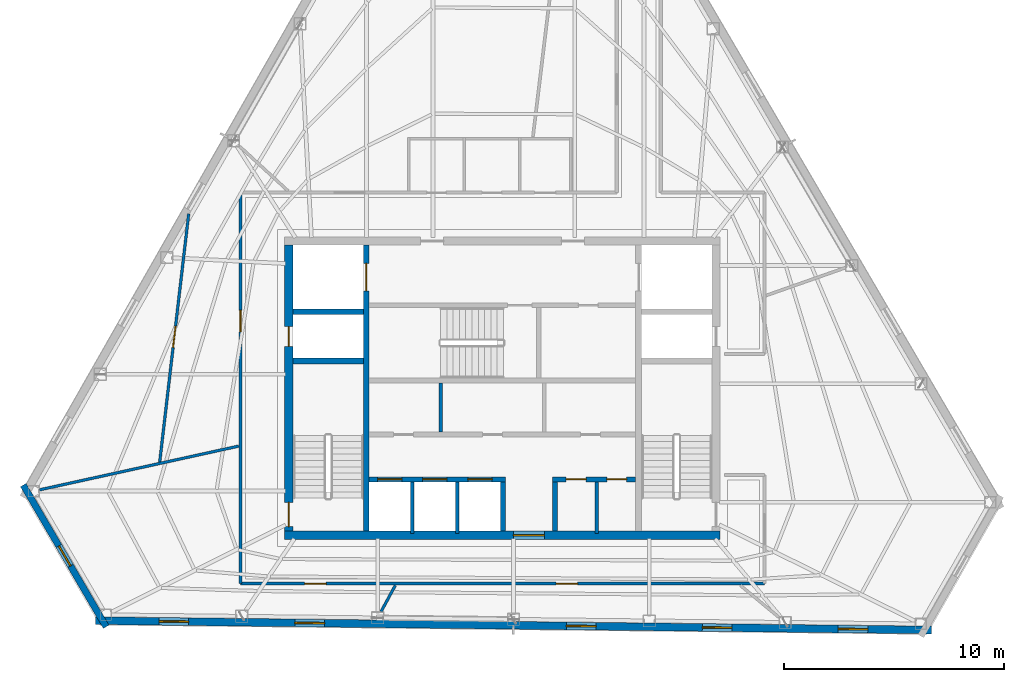
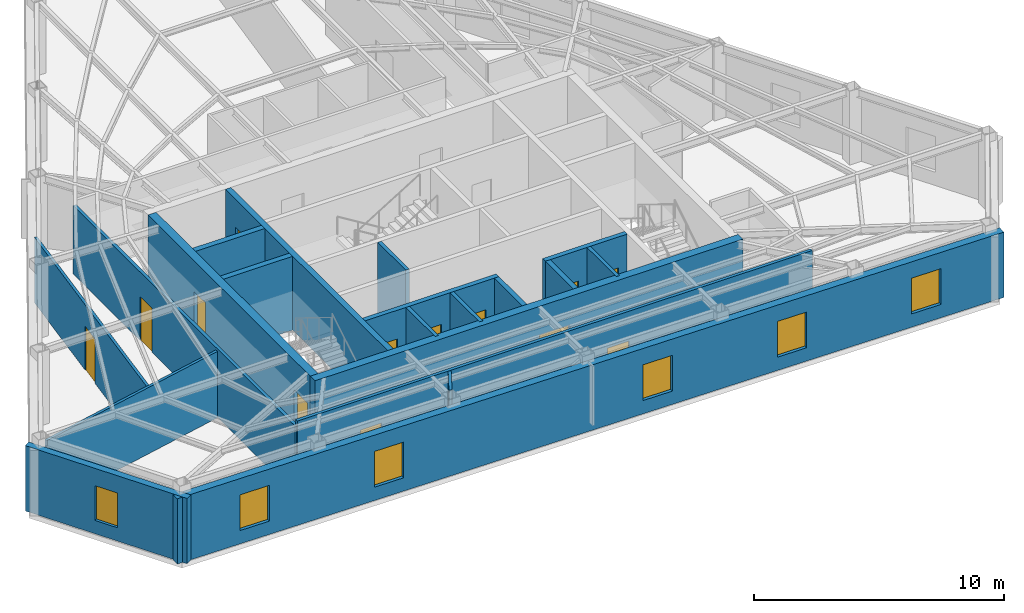
# One storey, part 7 of 10: 20 walls, 13 doors, 6 windows, 19 openings.
"""IFC4 building model written with IfcOpenShell, lengths in metres."""

from ifc_helpers import new_model, si_unit, direction, frame, frame_2d, origin, place, context, subcontext, project, spatial, rectangle, extrude, material, layer, layer_set, type_object, element, fill, save


model = new_model("IFC4")

# Units and contexts
model_context = context("Model", 3, precision=1e-05, world=origin(), true_north=direction((0.0, 1.0)))
body_context = subcontext(model_context, "Body", "Model", "MODEL_VIEW")
ifc_project = project(units=[si_unit("LENGTHUNIT", "METRE"), si_unit("AREAUNIT", "SQUARE_METRE"), si_unit("VOLUMEUNIT", "CUBIC_METRE"), si_unit("PLANEANGLEUNIT", "RADIAN"), si_unit("MASSUNIT", "GRAM", prefix="KILO")], contexts=[model_context])

# Site, building, storey
site_placement = place(None, origin())
site = spatial("IfcSite", under=ifc_project, at=site_placement, CompositionType="ELEMENT")
building_placement = place(site_placement, origin())
building = spatial("IfcBuilding", under=site, at=building_placement, Name="Kavelnor Concourse Tower", CompositionType="ELEMENT")
storey_placement = place(building_placement, frame((0.0, 0.0, 254.89990234375)))
storey = spatial("IfcBuildingStorey", under=building, at=storey_placement, Name="L64", CompositionType="ELEMENT", Elevation=254.89990234375)

# Wall, opening, door
ifc_material_1 = material(Name="Concrete C50/60", Category="concrete")
ifc_layer_1 = layer(ifc_material_1, 0.3798828125, Name="Concrete C50/60")
ifc_layer_set_1 = layer_set([ifc_layer_1], Name="Concrete C50/60")
wall_type_1 = type_object("IfcWallType", Name="WL-CORE-Z4-380", PredefinedType="SOLIDWALL", material=ifc_layer_set_1)
wall_1_placement = place(storey_placement, frame((28.10009765625, 9.409912109375, 0.0), z_axis=(0.0, 0.0, 1.0), x_axis=(1.0, 0.0, 0.0)))
wall_1 = element("IfcWall", 1, at=wall_1_placement, inside=storey, type_object=wall_type_1, Name="L64 Central Core South Shear Wall", PredefinedType="SOLIDWALL", context=body_context, shape_type="SweptSolid", body=[
    extrude(rectangle(XDim=19.7998046875, YDim=0.3798828125, at=frame_2d((9.89990234375, 0.0))), origin(), (0.0, 0.0, 1.0), 3.610107421875),
])
opening_1_placement = place(wall_1_placement, frame((10.39990234375, 0.0, 0.0)))
opening_1 = element("IfcOpeningElement", 2, at=opening_1_placement, cuts=wall_1, Name="Opening SD-140", PredefinedType="OPENING", context=body_context, shape_type="SweptSolid", body=[
    extrude(rectangle(XDim=1.39990234375, YDim=2.199951171875, at=frame_2d((0.699951171875, 1.10009765625))), frame((0.0, 0.199951171875, 0.0), z_axis=(0.0, -1.0, 0.0), x_axis=(1.0, 0.0, 0.0)), (0.0, 0.0, 1.0), 0.39990234375),
])
ifc_material_2 = material(Name="Solid-core hardwood timber", Category="wood")
door_type_1 = type_object("IfcDoorType", Name="DR-SUITE-ENTRY-1400", OperationType="NOTDEFINED", PredefinedType="DOOR", material=ifc_material_2)
door_1_placement = place(opening_1_placement, origin())
door_1 = element("IfcDoor", 3, at=door_1_placement, inside=storey, type_object=door_type_1, Name="L64 Passenger Lift Lobby Entry Door", OperationType="SINGLE_SWING_LEFT", OverallHeight=2.199951171875, OverallWidth=1.39990234375, PredefinedType="DOOR", context=body_context, shape_type="SweptSolid", body=[
    extrude(rectangle(XDim=1.39990234375, YDim=2.199951171875, at=frame_2d((0.699951171875, 1.10009765625))), frame((0.0, 0.02490234375, 0.0), z_axis=(0.0, -1.0, 0.0), x_axis=(1.0, 0.0, 0.0)), (0.0, 0.0, 1.0), 0.050048828125),
])
fill(opening_1, door_1)

# Wall, openings, doors
wall_2_placement = place(storey_placement, frame((28.2900390625, 9.60009765625, 0.0), z_axis=(0.0, 0.0, 1.0), x_axis=(0.0, 1.0, 0.0)))
wall_2 = element("IfcWall", 4, at=wall_2_placement, inside=storey, type_object=wall_type_1, Name="L64 Central Core West Shear Wall", PredefinedType="SOLIDWALL", context=body_context, shape_type="SweptSolid", body=[
    extrude(rectangle(XDim=13.0, YDim=0.3798828125, at=frame_2d((6.5, 0.0))), origin(), (0.0, 0.0, 1.0), 3.610107421875),
])
opening_2_placement = place(wall_2_placement, frame((0.199951171875, 0.0, 0.0)))
opening_2 = element("IfcOpeningElement", 5, at=opening_2_placement, cuts=wall_2, Name="Opening FD-110", PredefinedType="OPENING", context=body_context, shape_type="SweptSolid", body=[
    extrude(rectangle(XDim=1.10009765625, YDim=2.14990234375, at=frame_2d((0.550048828125, 1.074951171875))), frame((0.0, 0.199951171875, 0.0), z_axis=(0.0, -1.0, 0.0), x_axis=(1.0, 0.0, 0.0)), (0.0, 0.0, 1.0), 0.39990234375),
])
opening_3_placement = place(wall_2_placement, frame((8.39990234375, 0.0, 0.0)))
opening_3 = element("IfcOpeningElement", 6, at=opening_3_placement, cuts=wall_2, Name="Opening FD-090", PredefinedType="OPENING", context=body_context, shape_type="SweptSolid", body=[
    extrude(rectangle(XDim=0.89990234375, YDim=2.10009765625, at=frame_2d((0.449951171875, 1.050048828125))), frame((0.0, 0.199951171875, 0.0), z_axis=(0.0, -1.0, 0.0), x_axis=(1.0, 0.0, 0.0)), (0.0, 0.0, 1.0), 0.39990234375),
])
ifc_material_3 = material(Name="Steel Grade 350", Category="steel")
door_type_2 = type_object("IfcDoorType", Name="DR-RISER-FIRE-900", OperationType="NOTDEFINED", PredefinedType="DOOR", material=ifc_material_3)
door_2_placement = place(opening_3_placement, origin())
door_2 = element("IfcDoor", 7, at=door_2_placement, inside=storey, type_object=door_type_2, Name="L64 West Riser Access Door", OperationType="SINGLE_SWING_RIGHT", OverallHeight=2.10009765625, OverallWidth=0.89990234375, PredefinedType="DOOR", context=body_context, shape_type="SweptSolid", body=[
    extrude(rectangle(XDim=0.89990234375, YDim=2.10009765625, at=frame_2d((0.449951171875, 1.050048828125))), frame((0.0, 0.02490234375, 0.0), z_axis=(0.0, -1.0, 0.0), x_axis=(1.0, 0.0, 0.0)), (0.0, 0.0, 1.0), 0.050048828125),
])
fill(opening_3, door_2)
door_type_3 = type_object("IfcDoorType", Name="DR-STAIR-FIRE-1100", OperationType="NOTDEFINED", PredefinedType="DOOR", material=ifc_material_3)
door_3_placement = place(opening_2_placement, origin())
door_3 = element("IfcDoor", 8, at=door_3_placement, inside=storey, type_object=door_type_3, Name="L64 Stair ST1 Fire Door", OperationType="SINGLE_SWING_LEFT", OverallHeight=2.14990234375, OverallWidth=1.10009765625, PredefinedType="DOOR", context=body_context, shape_type="SweptSolid", body=[
    extrude(rectangle(XDim=1.10009765625, YDim=2.14990234375, at=frame_2d((0.550048828125, 1.074951171875))), frame((0.0, 0.02490234375, 0.0), z_axis=(0.0, -1.0, 0.0), x_axis=(1.0, 0.0, 0.0)), (0.0, 0.0, 1.0), 0.050048828125),
])
fill(opening_2, door_3)

# Wall, opening, window
ifc_material_4 = material(Name="Buff ironspot clay face brick masonry", Category="masonry")
ifc_layer_2 = layer(ifc_material_4, 0.300048828125, Name="Buff ironspot clay face brick masonry")
ifc_layer_set_2 = layer_set([ifc_layer_2], Name="Buff ironspot clay face brick masonry")
wall_type_2 = type_object("IfcWallType", Name="WL-EXT-BUFF-BRICK-FOLD-300", PredefinedType="STANDARD", material=ifc_layer_set_2)
wall_3_placement = place(storey_placement, frame((19.97900390625, 5.248291015625, 0.0), z_axis=(0.0, 0.0, 1.0), x_axis=(-0.50480008765, 0.863236277915, 0.0)))
wall_3 = element("IfcWall", 9, at=wall_3_placement, inside=storey, type_object=wall_type_2, Name="L64 Exterior Brick Facade Wall E2", PredefinedType="STANDARD", context=body_context, shape_type="SweptSolid", body=[
    extrude(rectangle(XDim=7.46435546875, YDim=0.300048828125, at=frame_2d((3.732177734375, 0.0))), origin(), (0.0, 0.0, 1.0), 3.196044921875),
])
opening_4_placement = place(wall_3_placement, frame((3.20703125, 0.0, 0.64990234375)))
opening_4 = element("IfcOpeningElement", 10, at=opening_4_placement, cuts=wall_3, Name="Opening W-06", PredefinedType="OPENING", context=body_context, shape_type="SweptSolid", body=[
    extrude(rectangle(XDim=1.050048828125, YDim=1.699951171875, at=frame_2d((0.52490234375, 0.85009765625))), frame((0.0, 0.16015625, 0.0), z_axis=(0.0, -1.0, 0.0), x_axis=(1.0, 0.0, 0.0)), (0.0, 0.0, 1.0), 0.320068359375),
])
ifc_material_5 = material(Name="Double low-E argon insulated glazing", Category="glass")
window_type_1 = type_object("IfcWindowType", Name="WIN-FOLD-1050", PartitioningType="SINGLE_PANEL", PredefinedType="WINDOW", material=ifc_material_5)
window_1_placement = place(opening_4_placement, origin())
window_1 = element("IfcWindow", 11, at=window_1_placement, inside=storey, type_object=window_type_1, Name="L64 Chamfer-Fold Facet Window C1", OverallHeight=1.699951171875, OverallWidth=1.050048828125, PartitioningType="SINGLE_PANEL", PredefinedType="WINDOW", context=body_context, shape_type="SweptSolid", body=[
    extrude(rectangle(XDim=1.050048828125, YDim=1.699951171875, at=frame_2d((0.52490234375, 0.85009765625))), frame((0.0, 0.030029296875, 0.0), z_axis=(0.0, -1.0, 0.0), x_axis=(1.0, 0.0, 0.0)), (0.0, 0.0, 1.0), 0.06005859375),
])
fill(opening_4, window_1)

# Wall, openings, windows
ifc_material_6 = material(Name="Red-ochre clay face brick masonry", Category="masonry")
ifc_layer_3 = layer(ifc_material_6, 0.35009765625, Name="Red-ochre clay face brick masonry")
ifc_layer_set_3 = layer_set([ifc_layer_3], Name="Red-ochre clay face brick masonry")
wall_type_3 = type_object("IfcWallType", Name="WL-EXT-RED-BRICK-PIER-350", PredefinedType="STANDARD", material=ifc_layer_set_3)
wall_4_placement = place(storey_placement, frame((57.506103515625, 5.1015625, 0.0), z_axis=(0.0, 0.0, 1.0), x_axis=(-0.999937327785, 0.011195557226, 0.0)))
wall_4 = element("IfcWall", 12, at=wall_4_placement, inside=storey, type_object=wall_type_3, Name="L64 Exterior Brick Facade Wall E3", PredefinedType="STANDARD", context=body_context, shape_type="SweptSolid", body=[
    extrude(rectangle(XDim=38.009521484375, YDim=0.35009765625, at=frame_2d((19.0048828125, 0.0))), origin(), (0.0, 0.0, 1.0), 3.196044921875),
])
opening_5_placement = place(wall_4_placement, frame((33.774658203125, 0.0, 0.64990234375)))
opening_5 = element("IfcOpeningElement", 13, at=opening_5_placement, cuts=wall_4, Name="Opening W-04", PredefinedType="OPENING", context=body_context, shape_type="SweptSolid", body=[
    extrude(rectangle(XDim=1.35009765625, YDim=1.75, at=frame_2d((0.675048828125, 0.875))), frame((0.0, 0.18505859375, 0.0), z_axis=(0.0, -1.0, 0.0), x_axis=(1.0, 0.0, 0.0)), (0.0, 0.0, 1.0), 0.3701171875),
])
opening_6_placement = place(wall_4_placement, frame((27.598876953125, 0.0, 0.64990234375)))
opening_6 = element("IfcOpeningElement", 14, at=opening_6_placement, cuts=wall_4, Name="Opening W-04", PredefinedType="OPENING", context=body_context, shape_type="SweptSolid", body=[
    extrude(rectangle(XDim=1.35009765625, YDim=1.75, at=frame_2d((0.675048828125, 0.875))), frame((0.0, 0.18505859375, 0.0), z_axis=(0.0, -1.0, 0.0), x_axis=(1.0, 0.0, 0.0)), (0.0, 0.0, 1.0), 0.3701171875),
])
opening_7_placement = place(wall_4_placement, frame((15.247314453125, 0.0, 0.64990234375)))
opening_7 = element("IfcOpeningElement", 15, at=opening_7_placement, cuts=wall_4, Name="Opening W-04", PredefinedType="OPENING", context=body_context, shape_type="SweptSolid", body=[
    extrude(rectangle(XDim=1.35009765625, YDim=1.75, at=frame_2d((0.675048828125, 0.875))), frame((0.0, 0.18505859375, 0.0), z_axis=(0.0, -1.0, 0.0), x_axis=(1.0, 0.0, 0.0)), (0.0, 0.0, 1.0), 0.3701171875),
])
opening_8_placement = place(wall_4_placement, frame((9.0712890625, 0.0, 0.64990234375)))
opening_8 = element("IfcOpeningElement", 16, at=opening_8_placement, cuts=wall_4, Name="Opening W-04", PredefinedType="OPENING", context=body_context, shape_type="SweptSolid", body=[
    extrude(rectangle(XDim=1.35009765625, YDim=1.75, at=frame_2d((0.675048828125, 0.875))), frame((0.0, 0.18505859375, 0.0), z_axis=(0.0, -1.0, 0.0), x_axis=(1.0, 0.0, 0.0)), (0.0, 0.0, 1.0), 0.3701171875),
])
opening_9_placement = place(wall_4_placement, frame((2.8955078125, 0.0, 0.64990234375)))
opening_9 = element("IfcOpeningElement", 17, at=opening_9_placement, cuts=wall_4, Name="Opening W-04", PredefinedType="OPENING", context=body_context, shape_type="SweptSolid", body=[
    extrude(rectangle(XDim=1.35009765625, YDim=1.75, at=frame_2d((0.675048828125, 0.875))), frame((0.0, 0.18505859375, 0.0), z_axis=(0.0, -1.0, 0.0), x_axis=(1.0, 0.0, 0.0)), (0.0, 0.0, 1.0), 0.3701171875),
])
window_type_2 = type_object("IfcWindowType", Name="WIN-PIER-Z4-1350", PartitioningType="SINGLE_PANEL", PredefinedType="WINDOW", material=ifc_material_5)
window_2_placement = place(opening_5_placement, origin())
window_2 = element("IfcWindow", 18, at=window_2_placement, inside=storey, type_object=window_type_2, Name="L64 Deep-Set Brick Pier Window F1-B0", OverallHeight=1.75, OverallWidth=1.35009765625, PartitioningType="SINGLE_PANEL", PredefinedType="WINDOW", context=body_context, shape_type="SweptSolid", body=[
    extrude(rectangle(XDim=1.35009765625, YDim=1.75, at=frame_2d((0.675048828125, 0.875))), frame((0.0, 0.030029296875, 0.0), z_axis=(0.0, -1.0, 0.0), x_axis=(1.0, 0.0, 0.0)), (0.0, 0.0, 1.0), 0.06005859375),
])
fill(opening_5, window_2)
window_3_placement = place(opening_6_placement, origin())
window_3 = element("IfcWindow", 19, at=window_3_placement, inside=storey, type_object=window_type_2, Name="L64 Deep-Set Brick Pier Window F1-B1", OverallHeight=1.75, OverallWidth=1.35009765625, PartitioningType="SINGLE_PANEL", PredefinedType="WINDOW", context=body_context, shape_type="SweptSolid", body=[
    extrude(rectangle(XDim=1.35009765625, YDim=1.75, at=frame_2d((0.675048828125, 0.875))), frame((0.0, 0.030029296875, 0.0), z_axis=(0.0, -1.0, 0.0), x_axis=(1.0, 0.0, 0.0)), (0.0, 0.0, 1.0), 0.06005859375),
])
fill(opening_6, window_3)
window_4_placement = place(opening_7_placement, origin())
window_4 = element("IfcWindow", 20, at=window_4_placement, inside=storey, type_object=window_type_2, Name="L64 Deep-Set Brick Pier Window F1-B3", OverallHeight=1.75, OverallWidth=1.35009765625, PartitioningType="SINGLE_PANEL", PredefinedType="WINDOW", context=body_context, shape_type="SweptSolid", body=[
    extrude(rectangle(XDim=1.35009765625, YDim=1.75, at=frame_2d((0.675048828125, 0.875))), frame((0.0, 0.030029296875, 0.0), z_axis=(0.0, -1.0, 0.0), x_axis=(1.0, 0.0, 0.0)), (0.0, 0.0, 1.0), 0.06005859375),
])
fill(opening_7, window_4)
window_5_placement = place(opening_8_placement, origin())
window_5 = element("IfcWindow", 21, at=window_5_placement, inside=storey, type_object=window_type_2, Name="L64 Deep-Set Brick Pier Window F1-B4", OverallHeight=1.75, OverallWidth=1.35009765625, PartitioningType="SINGLE_PANEL", PredefinedType="WINDOW", context=body_context, shape_type="SweptSolid", body=[
    extrude(rectangle(XDim=1.35009765625, YDim=1.75, at=frame_2d((0.675048828125, 0.875))), frame((0.0, 0.030029296875, 0.0), z_axis=(0.0, -1.0, 0.0), x_axis=(1.0, 0.0, 0.0)), (0.0, 0.0, 1.0), 0.06005859375),
])
fill(opening_8, window_5)
window_6_placement = place(opening_9_placement, origin())
window_6 = element("IfcWindow", 22, at=window_6_placement, inside=storey, type_object=window_type_2, Name="L64 Deep-Set Brick Pier Window F1-B5", OverallHeight=1.75, OverallWidth=1.35009765625, PartitioningType="SINGLE_PANEL", PredefinedType="WINDOW", context=body_context, shape_type="SweptSolid", body=[
    extrude(rectangle(XDim=1.35009765625, YDim=1.75, at=frame_2d((0.675048828125, 0.875))), frame((0.0, 0.030029296875, 0.0), z_axis=(0.0, -1.0, 0.0), x_axis=(1.0, 0.0, 0.0)), (0.0, 0.0, 1.0), 0.06005859375),
])
fill(opening_9, window_6)

# Wall, openings, doors
ifc_material_7 = material(Name="Gypsum plasterboard on light-gauge steel studs", Category="steel")
ifc_layer_4 = layer(ifc_material_7, 0.14501953125, Name="Gypsum plasterboard on light-gauge steel studs")
ifc_layer_set_4 = layer_set([ifc_layer_4], Name="Gypsum plasterboard on light-gauge steel studs")
wall_type_4 = type_object("IfcWallType", Name="WL-INT-CORR-145", PredefinedType="PARTITIONING", material=ifc_layer_set_4)
wall_5_placement = place(storey_placement, frame((49.909912109375, 7.2099609375, 0.0), z_axis=(0.0, 0.0, 1.0), x_axis=(-1.0, 0.0, 0.0)))
wall_5 = element("IfcWall", 23, at=wall_5_placement, inside=storey, type_object=wall_type_4, Name="L64 Corridor Wall WL-L64-CR-09", PredefinedType="PARTITIONING", context=body_context, shape_type="SweptSolid", body=[
    extrude(rectangle(XDim=23.81982421875, YDim=0.14501953125, at=frame_2d((11.909912109375, 0.0))), origin(), (0.0, 0.0, 1.0), 3.610107421875),
])
opening_10_placement = place(wall_5_placement, frame((19.927734375, 0.0, 0.0)))
opening_10 = element("IfcOpeningElement", 24, at=opening_10_placement, cuts=wall_5, Name="Opening OD-098", PredefinedType="OPENING", context=body_context, shape_type="SweptSolid", body=[
    extrude(rectangle(XDim=0.97998046875, YDim=2.14990234375, at=frame_2d((0.489990234375, 1.074951171875))), frame((0.0, 0.08251953125, 0.0), z_axis=(0.0, -1.0, 0.0), x_axis=(1.0, 0.0, 0.0)), (0.0, 0.0, 1.0), 0.1650390625),
])
opening_11_placement = place(wall_5_placement, frame((8.487060546875, 0.0, 0.0)))
opening_11 = element("IfcOpeningElement", 25, at=opening_11_placement, cuts=wall_5, Name="Opening OD-098", PredefinedType="OPENING", context=body_context, shape_type="SweptSolid", body=[
    extrude(rectangle(XDim=0.97998046875, YDim=2.14990234375, at=frame_2d((0.489990234375, 1.074951171875))), frame((0.0, 0.08251953125, 0.0), z_axis=(0.0, -1.0, 0.0), x_axis=(1.0, 0.0, 0.0)), (0.0, 0.0, 1.0), 0.1650390625),
])
door_type_4 = type_object("IfcDoorType", Name="DR-OFFICE-980", OperationType="NOTDEFINED", PredefinedType="DOOR", material=ifc_material_2)
door_4_placement = place(opening_10_placement, origin())
door_4 = element("IfcDoor", 26, at=door_4_placement, inside=storey, type_object=door_type_4, Name="L64 Staff Breakout Pantry 05 Door", OperationType="SINGLE_SWING_RIGHT", OverallHeight=2.14990234375, OverallWidth=0.97998046875, PredefinedType="DOOR", context=body_context, shape_type="SweptSolid", body=[
    extrude(rectangle(XDim=0.97998046875, YDim=2.14990234375, at=frame_2d((0.489990234375, 1.074951171875))), frame((0.0, 0.02490234375, 0.0), z_axis=(0.0, -1.0, 0.0), x_axis=(1.0, 0.0, 0.0)), (0.0, 0.0, 1.0), 0.050048828125),
])
fill(opening_10, door_4)
door_5_placement = place(opening_11_placement, origin())
door_5 = element("IfcDoor", 27, at=door_5_placement, inside=storey, type_object=door_type_4, Name="L64 Staff Breakout Pantry 06 Door", OperationType="SINGLE_SWING_LEFT", OverallHeight=2.14990234375, OverallWidth=0.97998046875, PredefinedType="DOOR", context=body_context, shape_type="SweptSolid", body=[
    extrude(rectangle(XDim=0.97998046875, YDim=2.14990234375, at=frame_2d((0.489990234375, 1.074951171875))), frame((0.0, 0.02490234375, 0.0), z_axis=(0.0, -1.0, 0.0), x_axis=(1.0, 0.0, 0.0)), (0.0, 0.0, 1.0), 0.050048828125),
])
fill(opening_11, door_5)

# Wall, opening, door
wall_6_placement = place(storey_placement, frame((26.090087890625, 7.2099609375, 0.0), z_axis=(0.0, 0.0, 1.0), x_axis=(0.0, 1.0, 0.0)))
wall_6 = element("IfcWall", 28, at=wall_6_placement, inside=storey, type_object=wall_type_4, Name="L64 Corridor Wall WL-L64-CR-10", PredefinedType="PARTITIONING", context=body_context, shape_type="SweptSolid", body=[
    extrude(rectangle(XDim=17.780029296875, YDim=0.14501953125, at=frame_2d((8.89013671875, 0.0))), origin(), (0.0, 0.0, 1.0), 3.34912109375),
])
opening_12_placement = place(wall_6_placement, frame((11.442626953125, 0.0, 0.0)))
opening_12 = element("IfcOpeningElement", 29, at=opening_12_placement, cuts=wall_6, Name="Opening OD-098", PredefinedType="OPENING", context=body_context, shape_type="SweptSolid", body=[
    extrude(rectangle(XDim=0.97998046875, YDim=2.14990234375, at=frame_2d((0.489990234375, 1.074951171875))), frame((0.0, 0.08251953125, 0.0), z_axis=(0.0, -1.0, 0.0), x_axis=(1.0, 0.0, 0.0)), (0.0, 0.0, 1.0), 0.1650390625),
])
door_6_placement = place(opening_12_placement, origin())
door_6 = element("IfcDoor", 30, at=door_6_placement, inside=storey, type_object=door_type_4, Name="L64 Technical Reference Library 03 Door", OperationType="SINGLE_SWING_RIGHT", OverallHeight=2.14990234375, OverallWidth=0.97998046875, PredefinedType="DOOR", context=body_context, shape_type="SweptSolid", body=[
    extrude(rectangle(XDim=0.97998046875, YDim=2.14990234375, at=frame_2d((0.489990234375, 1.074951171875))), frame((0.0, 0.02490234375, 0.0), z_axis=(0.0, -1.0, 0.0), x_axis=(1.0, 0.0, 0.0)), (0.0, 0.0, 1.0), 0.050048828125),
])
fill(opening_12, door_6)

# Walls
ifc_layer_5 = layer(ifc_material_7, 0.1650390625, Name="Gypsum plasterboard on light-gauge steel studs")
ifc_layer_set_5 = layer_set([ifc_layer_5], Name="Gypsum plasterboard on light-gauge steel studs")
wall_type_5 = type_object("IfcWallType", Name="WL-INT-FIRE-165", PredefinedType="PARTITIONING", material=ifc_layer_set_5)
for number, where, z_axis, x_axis, name in (
    (31, (33.89990234375, 9.489990234375, 0.0), (0.0, 0.0, 1.0), (0.0, 1.0, 0.0), "L64 Lift Shaft Divider LP7"),
    (32, (35.949951171875, 9.489990234375, 0.0), (0.0, 0.0, 1.0), (0.0, 1.0, 0.0), "L64 Lift Shaft Divider LP8"),
):
    element("IfcWall", number, at=place(storey_placement, frame(where, z_axis=z_axis, x_axis=x_axis)), inside=storey, type_object=wall_type_5, Name=name, PredefinedType="PARTITIONING", context=body_context, shape_type="SweptSolid", body=[
        extrude(rectangle(XDim=2.35009765625, YDim=0.1650390625, at=frame_2d((1.175048828125, 0.0))), origin(), (0.0, 0.0, 1.0), 3.610107421875),
    ])
wall_7_placement = place(storey_placement, frame((35.199951171875, 14.10009765625, 0.0), z_axis=(0.0, 0.0, 1.0), x_axis=(0.0, 1.0, 0.0)))
element("IfcWall", 33, at=wall_7_placement, inside=storey, type_object=wall_type_5, Name="L64 Reclaimed Core Partition A", PredefinedType="PARTITIONING", context=body_context, shape_type="SweptSolid", body=[
    extrude(rectangle(XDim=2.239990234375, YDim=0.1650390625, at=frame_2d((1.1201171875, 0.0))), origin(), (0.0, 0.0, 1.0), 3.610107421875),
])
wall_8_placement = place(storey_placement, frame((42.280029296875, 9.489990234375, 0.0), z_axis=(0.0, 0.0, 1.0), x_axis=(0.0, 1.0, 0.0)))
element("IfcWall", 34, at=wall_8_placement, inside=storey, type_object=wall_type_5, Name="L64 Core Support Divider", PredefinedType="PARTITIONING", context=body_context, shape_type="SweptSolid", body=[
    extrude(rectangle(XDim=2.35009765625, YDim=0.1650390625, at=frame_2d((1.175048828125, 0.0))), origin(), (0.0, 0.0, 1.0), 3.610107421875),
])
ifc_layer_6 = layer(ifc_material_7, 0.125, Name="Gypsum plasterboard on light-gauge steel studs")
ifc_layer_set_6 = layer_set([ifc_layer_6], Name="Gypsum plasterboard on light-gauge steel studs")
wall_type_6 = type_object("IfcWallType", Name="WL-INT-SUITE-125", PredefinedType="PARTITIONING", material=ifc_layer_set_6)
wall_9_placement = place(storey_placement, frame((26.009521484375, 13.465087890625, 0.0), z_axis=(0.0, 0.0, 1.0), x_axis=(-0.976700346334, -0.214607626778, 0.0)))
element("IfcWall", 35, at=wall_9_placement, inside=storey, type_object=wall_type_6, Name="L64 Radial Suite Partition 04", PredefinedType="PARTITIONING", context=body_context, shape_type="SweptSolid", body=[
    extrude(rectangle(XDim=9.272705078125, YDim=0.125, at=frame_2d((4.63623046875, 0.0))), origin(), (0.0, 0.0, 1.0), 3.24609375),
])
wall_10_placement = place(storey_placement, frame((33.126708984375, 7.12939453125, 0.0), z_axis=(0.0, 0.0, 1.0), x_axis=(-0.47743452788, -0.878667327029, 0.0)))
element("IfcWall", 36, at=wall_10_placement, inside=storey, type_object=wall_type_6, Name="L64 Radial Suite Partition 05", PredefinedType="PARTITIONING", context=body_context, shape_type="SweptSolid", body=[
    extrude(rectangle(XDim=1.35205078125, YDim=0.125, at=frame_2d((0.676025390625, 0.0))), origin(), (0.0, 0.0, 1.0), 3.610107421875),
])

# Wall, opening, door
wall_11_placement = place(storey_placement, frame((23.73291015625, 24.027099609375, 0.0), z_axis=(0.0, 0.0, 1.0), x_axis=(-0.116028401935, -0.993245896012, 0.0)))
wall_11 = element("IfcWall", 37, at=wall_11_placement, inside=storey, type_object=wall_type_6, Name="L64 Suite Subdivision Partition 03", PredefinedType="PARTITIONING", context=body_context, shape_type="SweptSolid", body=[
    extrude(rectangle(XDim=11.4150390625, YDim=0.125, at=frame_2d((5.70751953125, 0.0))), origin(), (0.0, 0.0, 1.0), 3.19921875),
])
opening_13_placement = place(wall_11_placement, frame((5.1416015625, 0.0, 0.0)))
opening_13 = element("IfcOpeningElement", 38, at=opening_13_placement, cuts=wall_11, Name="Opening OD-098", PredefinedType="OPENING", context=body_context, shape_type="SweptSolid", body=[
    extrude(rectangle(XDim=0.97998046875, YDim=2.14990234375, at=frame_2d((0.489990234375, 1.074951171875))), frame((0.0, 0.072509765625, 0.0), z_axis=(0.0, -1.0, 0.0), x_axis=(1.0, 0.0, 0.0)), (0.0, 0.0, 1.0), 0.14501953125),
])
door_7_placement = place(opening_13_placement, origin())
door_7 = element("IfcDoor", 39, at=door_7_placement, inside=storey, type_object=door_type_4, Name="L64 Staff Breakout Pantry 04 Door", OperationType="SINGLE_SWING_LEFT", OverallHeight=2.14990234375, OverallWidth=0.97998046875, PredefinedType="DOOR", context=body_context, shape_type="SweptSolid", body=[
    extrude(rectangle(XDim=0.97998046875, YDim=2.14990234375, at=frame_2d((0.489990234375, 1.074951171875))), frame((0.0, 0.02490234375, 0.0), z_axis=(0.0, -1.0, 0.0), x_axis=(1.0, 0.0, 0.0)), (0.0, 0.0, 1.0), 0.050048828125),
])
fill(opening_13, door_7)

# Wall, openings, doors
ifc_layer_7 = layer(ifc_material_1, 0.219970703125, Name="Concrete C50/60")
ifc_layer_set_7 = layer_set([ifc_layer_7], Name="Concrete C50/60")
wall_type_7 = type_object("IfcWallType", Name="WL-SHAFT-220", PredefinedType="SOLIDWALL", material=ifc_layer_set_7)
wall_12_placement = place(storey_placement, frame((31.93994140625, 11.949951171875, 0.0), z_axis=(0.0, 0.0, 1.0), x_axis=(1.0, 0.0, 0.0)))
wall_12 = element("IfcWall", 40, at=wall_12_placement, inside=storey, type_object=wall_type_7, Name="L64 High-Rise Lift Bank North Wall", PredefinedType="SOLIDWALL", context=body_context, shape_type="SweptSolid", body=[
    extrude(rectangle(XDim=6.18994140625, YDim=0.219970703125, at=frame_2d((3.094970703125, 0.0))), origin(), (0.0, 0.0, 1.0), 3.610107421875),
])
opening_14_placement = place(wall_12_placement, frame((0.385009765625, 0.0, 0.0)))
opening_14 = element("IfcOpeningElement", 41, at=opening_14_placement, cuts=wall_12, Name="Opening LD-110", PredefinedType="OPENING", context=body_context, shape_type="SweptSolid", body=[
    extrude(rectangle(XDim=1.10009765625, YDim=2.199951171875, at=frame_2d((0.550048828125, 1.10009765625))), frame((0.0, 0.1201171875, 0.0), z_axis=(0.0, -1.0, 0.0), x_axis=(1.0, 0.0, 0.0)), (0.0, 0.0, 1.0), 0.239990234375),
])
opening_15_placement = place(wall_12_placement, frame((2.43505859375, 0.0, 0.0)))
opening_15 = element("IfcOpeningElement", 42, at=opening_15_placement, cuts=wall_12, Name="Opening LD-110", PredefinedType="OPENING", context=body_context, shape_type="SweptSolid", body=[
    extrude(rectangle(XDim=1.10009765625, YDim=2.199951171875, at=frame_2d((0.550048828125, 1.10009765625))), frame((0.0, 0.1201171875, 0.0), z_axis=(0.0, -1.0, 0.0), x_axis=(1.0, 0.0, 0.0)), (0.0, 0.0, 1.0), 0.239990234375),
])
opening_16_placement = place(wall_12_placement, frame((4.485107421875, 0.0, 0.0)))
opening_16 = element("IfcOpeningElement", 43, at=opening_16_placement, cuts=wall_12, Name="Opening LD-110", PredefinedType="OPENING", context=body_context, shape_type="SweptSolid", body=[
    extrude(rectangle(XDim=1.10009765625, YDim=2.199951171875, at=frame_2d((0.550048828125, 1.10009765625))), frame((0.0, 0.1201171875, 0.0), z_axis=(0.0, -1.0, 0.0), x_axis=(1.0, 0.0, 0.0)), (0.0, 0.0, 1.0), 0.239990234375),
])
door_type_5 = type_object("IfcDoorType", Name="DR-LIFT-SLIDING-1100", OperationType="NOTDEFINED", PredefinedType="DOOR", material=ifc_material_3)
door_8_placement = place(opening_14_placement, origin())
door_8 = element("IfcDoor", 44, at=door_8_placement, inside=storey, type_object=door_type_5, Name="L64 Lift LP7 Landing Door", OperationType="DOUBLE_DOOR_SLIDING", OverallHeight=2.199951171875, OverallWidth=1.10009765625, PredefinedType="DOOR", context=body_context, shape_type="SweptSolid", body=[
    extrude(rectangle(XDim=1.10009765625, YDim=2.199951171875, at=frame_2d((0.550048828125, 1.10009765625))), frame((0.0, 0.02490234375, 0.0), z_axis=(0.0, -1.0, 0.0), x_axis=(1.0, 0.0, 0.0)), (0.0, 0.0, 1.0), 0.050048828125),
])
fill(opening_14, door_8)
door_9_placement = place(opening_15_placement, origin())
door_9 = element("IfcDoor", 45, at=door_9_placement, inside=storey, type_object=door_type_5, Name="L64 Lift LP8 Landing Door", OperationType="DOUBLE_DOOR_SLIDING", OverallHeight=2.199951171875, OverallWidth=1.10009765625, PredefinedType="DOOR", context=body_context, shape_type="SweptSolid", body=[
    extrude(rectangle(XDim=1.10009765625, YDim=2.199951171875, at=frame_2d((0.550048828125, 1.10009765625))), frame((0.0, 0.02490234375, 0.0), z_axis=(0.0, -1.0, 0.0), x_axis=(1.0, 0.0, 0.0)), (0.0, 0.0, 1.0), 0.050048828125),
])
fill(opening_15, door_9)
door_10_placement = place(opening_16_placement, origin())
door_10 = element("IfcDoor", 46, at=door_10_placement, inside=storey, type_object=door_type_5, Name="L64 Lift LP9 Landing Door", OperationType="DOUBLE_DOOR_SLIDING", OverallHeight=2.199951171875, OverallWidth=1.10009765625, PredefinedType="DOOR", context=body_context, shape_type="SweptSolid", body=[
    extrude(rectangle(XDim=1.10009765625, YDim=2.199951171875, at=frame_2d((0.550048828125, 1.10009765625))), frame((0.0, 0.02490234375, 0.0), z_axis=(0.0, -1.0, 0.0), x_axis=(1.0, 0.0, 0.0)), (0.0, 0.0, 1.0), 0.050048828125),
])
fill(opening_16, door_10)

wall_13_placement = place(storey_placement, frame((40.280029296875, 11.949951171875, 0.0), z_axis=(0.0, 0.0, 1.0), x_axis=(1.0, 0.0, 0.0)))
wall_13 = element("IfcWall", 47, at=wall_13_placement, inside=storey, type_object=wall_type_7, Name="L64 Core South Support North Wall", PredefinedType="SOLIDWALL", context=body_context, shape_type="SweptSolid", body=[
    extrude(rectangle(XDim=3.780029296875, YDim=0.219970703125, at=frame_2d((1.89013671875, 0.0))), origin(), (0.0, 0.0, 1.0), 3.610107421875),
])
opening_17_placement = place(wall_13_placement, frame((0.6201171875, 0.0, 0.0)))
opening_17 = element("IfcOpeningElement", 48, at=opening_17_placement, cuts=wall_13, Name="Opening FD-090", PredefinedType="OPENING", context=body_context, shape_type="SweptSolid", body=[
    extrude(rectangle(XDim=0.89990234375, YDim=2.10009765625, at=frame_2d((0.449951171875, 1.050048828125))), frame((0.0, 0.1201171875, 0.0), z_axis=(0.0, -1.0, 0.0), x_axis=(1.0, 0.0, 0.0)), (0.0, 0.0, 1.0), 0.239990234375),
])
opening_18_placement = place(wall_13_placement, frame((2.469970703125, 0.0, 0.0)))
opening_18 = element("IfcOpeningElement", 49, at=opening_18_placement, cuts=wall_13, Name="Opening FD-090", PredefinedType="OPENING", context=body_context, shape_type="SweptSolid", body=[
    extrude(rectangle(XDim=0.89990234375, YDim=2.10009765625, at=frame_2d((0.449951171875, 1.050048828125))), frame((0.0, 0.1201171875, 0.0), z_axis=(0.0, -1.0, 0.0), x_axis=(1.0, 0.0, 0.0)), (0.0, 0.0, 1.0), 0.239990234375),
])
door_11_placement = place(opening_17_placement, origin())
door_11 = element("IfcDoor", 50, at=door_11_placement, inside=storey, type_object=door_type_2, Name="L64 Cleaner Cupboard Door", OperationType="SINGLE_SWING_RIGHT", OverallHeight=2.10009765625, OverallWidth=0.89990234375, PredefinedType="DOOR", context=body_context, shape_type="SweptSolid", body=[
    extrude(rectangle(XDim=0.89990234375, YDim=2.10009765625, at=frame_2d((0.449951171875, 1.050048828125))), frame((0.0, 0.02490234375, 0.0), z_axis=(0.0, -1.0, 0.0), x_axis=(1.0, 0.0, 0.0)), (0.0, 0.0, 1.0), 0.050048828125),
])
fill(opening_17, door_11)
door_12_placement = place(opening_18_placement, origin())
door_12 = element("IfcDoor", 51, at=door_12_placement, inside=storey, type_object=door_type_2, Name="L64 Supplies Store Door", OperationType="SINGLE_SWING_LEFT", OverallHeight=2.10009765625, OverallWidth=0.89990234375, PredefinedType="DOOR", context=body_context, shape_type="SweptSolid", body=[
    extrude(rectangle(XDim=0.89990234375, YDim=2.10009765625, at=frame_2d((0.449951171875, 1.050048828125))), frame((0.0, 0.02490234375, 0.0), z_axis=(0.0, -1.0, 0.0), x_axis=(1.0, 0.0, 0.0)), (0.0, 0.0, 1.0), 0.050048828125),
])
fill(opening_18, door_12)

# Walls
for number, where, z_axis, x_axis, name in (
    (52, (38.02001953125, 9.60009765625, 0.0), (0.0, 0.0, 1.0), (0.0, 1.0, 0.0), "L64 Lift Lobby Throat West Wall"),
    (53, (40.389892578125, 9.60009765625, 0.0), (0.0, 0.0, 1.0), (0.0, 1.0, 0.0), "L64 Lift Lobby Throat East Wall"),
):
    element("IfcWall", number, at=place(storey_placement, frame(where, z_axis=z_axis, x_axis=x_axis)), inside=storey, type_object=wall_type_7, Name=name, PredefinedType="SOLIDWALL", context=body_context, shape_type="SweptSolid", body=[
        extrude(rectangle(XDim=2.239990234375, YDim=0.219970703125, at=frame_2d((1.1201171875, 0.0))), origin(), (0.0, 0.0, 1.0), 3.610107421875),
    ])

# Wall, opening, door
ifc_layer_8 = layer(ifc_material_1, 0.260009765625, Name="Concrete C50/60")
ifc_layer_set_8 = layer_set([ifc_layer_8], Name="Concrete C50/60")
wall_type_8 = type_object("IfcWallType", Name="WL-SHAFT-260", PredefinedType="SHEAR", material=ifc_layer_set_8)
wall_14_placement = place(storey_placement, frame((31.81005859375, 9.60009765625, 0.0), z_axis=(0.0, 0.0, 1.0), x_axis=(0.0, 1.0, 0.0)))
wall_14 = element("IfcWall", 54, at=wall_14_placement, inside=storey, type_object=wall_type_8, Name="L64 Core West Wing Shear Wall", PredefinedType="SHEAR", context=body_context, shape_type="SweptSolid", body=[
    extrude(rectangle(XDim=13.0, YDim=0.260009765625, at=frame_2d((6.5, 0.0))), origin(), (0.0, 0.0, 1.0), 3.610107421875),
])
opening_19_placement = place(wall_14_placement, frame((10.925048828125, 0.0, 0.0)))
opening_19 = element("IfcOpeningElement", 55, at=opening_19_placement, cuts=wall_14, Name="Opening LD-125", PredefinedType="OPENING", context=body_context, shape_type="SweptSolid", body=[
    extrude(rectangle(XDim=1.25, YDim=2.25, at=frame_2d((0.625, 1.125))), frame((0.0, 0.14013671875, 0.0), z_axis=(0.0, -1.0, 0.0), x_axis=(1.0, 0.0, 0.0)), (0.0, 0.0, 1.0), 0.280029296875),
])
door_type_6 = type_object("IfcDoorType", Name="DR-LIFT-SLIDING-1250", OperationType="NOTDEFINED", PredefinedType="DOOR", material=ifc_material_3)
door_13_placement = place(opening_19_placement, origin())
door_13 = element("IfcDoor", 56, at=door_13_placement, inside=storey, type_object=door_type_6, Name="L64 Emergency Lift FL1 Landing Door", OperationType="DOUBLE_DOOR_SLIDING", OverallHeight=2.25, OverallWidth=1.25, PredefinedType="DOOR", context=body_context, shape_type="SweptSolid", body=[
    extrude(rectangle(XDim=1.25, YDim=2.25, at=frame_2d((0.625, 1.125))), frame((0.0, 0.02490234375, 0.0), z_axis=(0.0, -1.0, 0.0), x_axis=(1.0, 0.0, 0.0)), (0.0, 0.0, 1.0), 0.050048828125),
])
fill(opening_19, door_13)

# Walls
for number, where, z_axis, x_axis, name in (
    (57, (28.47998046875, 17.330078125, 0.0), (0.0, 0.0, 1.0), (1.0, 0.0, 0.0), "L64 Stair ST1 North Shaft Wall"),
    (58, (28.47998046875, 19.570068359375, 0.0), (0.0, 0.0, 1.0), (1.0, 0.0, 0.0), "L64 Emergency Lift FL1 South Shaft Wall"),
):
    element("IfcWall", number, at=place(storey_placement, frame(where, z_axis=z_axis, x_axis=x_axis)), inside=storey, type_object=wall_type_8, Name=name, PredefinedType="SHEAR", context=body_context, shape_type="SweptSolid", body=[
        extrude(rectangle(XDim=3.199951171875, YDim=0.260009765625, at=frame_2d((1.60009765625, 0.0))), origin(), (0.0, 0.0, 1.0), 3.610107421875),
    ])

save(model, "model.ifc")
